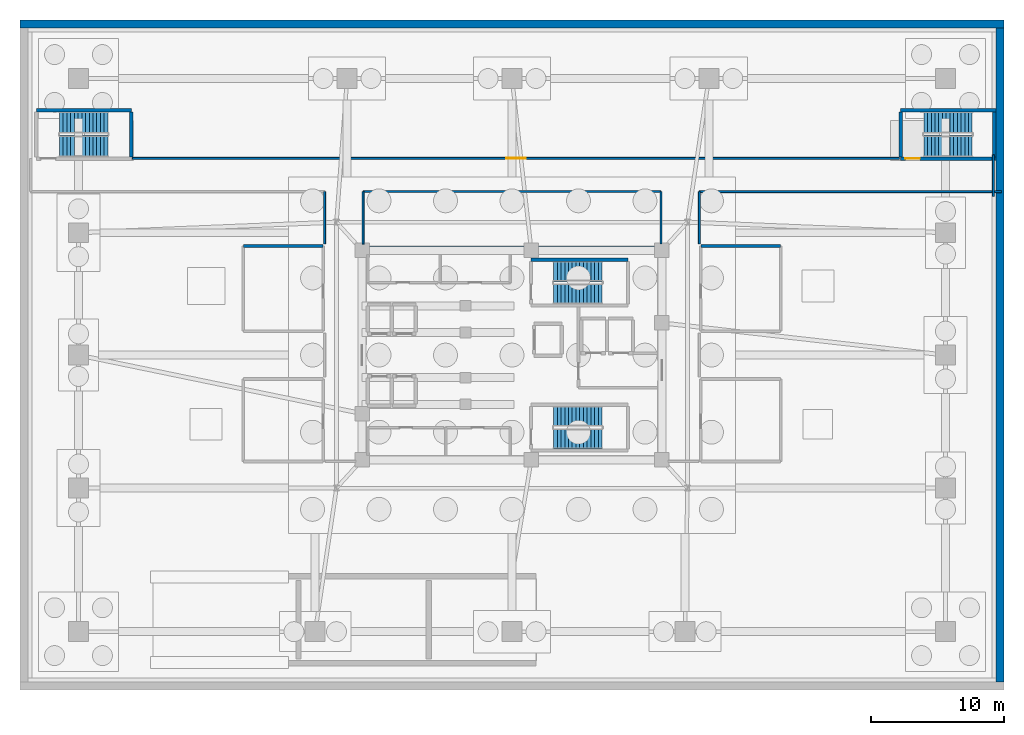
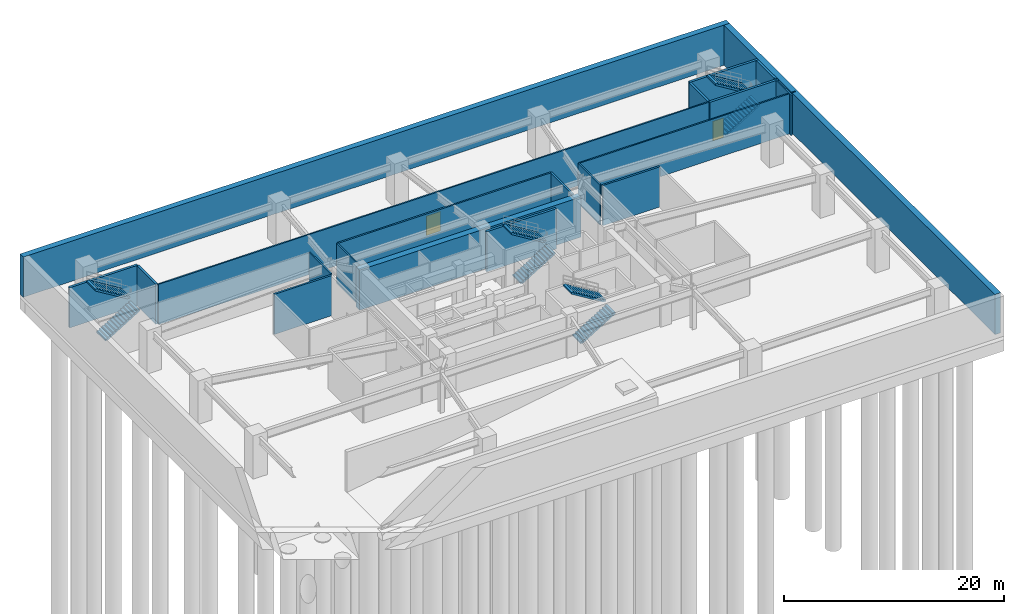
# One storey, part 6 of 8: 20 walls, 8 stair flights, 2 doors, 2 openings, 4 elements without a shape of their own.
"""IFC4 building model written with IfcOpenShell, lengths in metres."""

from ifc_helpers import new_model, si_unit, direction, frame, frame_2d, origin, place, context, subcontext, project, spatial, polyline, rectangle, outline, extrude, material, layer, layer_set, type_object, element, fill, aggregate, save


model = new_model("IFC4")

# Units and contexts
model_context = context("Model", 3, precision=1e-05, world=origin(), true_north=direction((0.0, 1.0)))
body_context = subcontext(model_context, "Body", "Model", "MODEL_VIEW")
ifc_project = project(units=[si_unit("LENGTHUNIT", "METRE"), si_unit("AREAUNIT", "SQUARE_METRE"), si_unit("VOLUMEUNIT", "CUBIC_METRE"), si_unit("PLANEANGLEUNIT", "RADIAN"), si_unit("MASSUNIT", "GRAM", prefix="KILO")], contexts=[model_context])

# Site, building, storey
site_placement = place(None, origin())
site = spatial("IfcSite", under=ifc_project, at=site_placement, CompositionType="ELEMENT")
building_placement = place(site_placement, origin())
building = spatial("IfcBuilding", under=site, at=building_placement, Name="Zulverin Broadcast Headquarters", CompositionType="ELEMENT")
storey_placement = place(building_placement, frame((0.0, 0.0, -9.60009765625)))
storey = spatial("IfcBuildingStorey", under=building, at=storey_placement, Name="B2", CompositionType="ELEMENT", Elevation=-9.60009765625)

# Walls
ifc_material_1 = material(Name="Concrete C60/75", Category="concrete")
ifc_layer_1 = layer(ifc_material_1, 0.64990234375, Name="Concrete C60/75", Category="concrete")
ifc_layer_set_1 = layer_set([ifc_layer_1], Name="Concrete C60/75")
wall_type_1 = type_object("IfcWallType", Name="WL-CORE-650", PredefinedType="SHEAR", material=ifc_layer_set_1)
wall_1_placement = place(storey_placement, frame((25.39990234375, 33.074951171875, 0.0), z_axis=(0.0, 0.0, 1.0), x_axis=(1.0, 0.0, 0.0)))
element("IfcWall", 1, at=wall_1_placement, inside=storey, type_object=wall_type_1, Name="B2 Core North Shear Wall", PredefinedType="SHEAR", context=body_context, shape_type="SweptSolid", body=[
    extrude(rectangle(XDim=23.2001953125, YDim=0.64990234375, at=frame_2d((11.60009765625, 0.0))), origin(), (0.0, 0.0, 1.0), 4.4501953125),
])
ifc_material_2 = material(Name="Concrete C40/50", Category="concrete")
ifc_layer_2 = layer(ifc_material_2, 0.199951171875, Name="Concrete C40/50", Category="concrete")
ifc_layer_set_2 = layer_set([ifc_layer_2], Name="Concrete C40/50")
wall_type_2 = type_object("IfcWallType", Name="WL-FFL-200", PredefinedType="SOLIDWALL", material=ifc_layer_set_2)
for number, where, z_axis, x_axis, name in (
    (2, (16.800048828125, 33.39990234375, 0.0), (0.0, 0.0, 1.0), (1.0, 0.0, 0.0), "B2 Domestic & Fire Pump Plant Room N Wall"),
    (3, (51.199951171875, 33.39990234375, 0.0), (0.0, 0.0, 1.0), (1.0, 0.0, 0.0), "B2 Basement Smoke Extract Fan Plant Room N Wall"),
):
    element("IfcWall", number, at=place(storey_placement, frame(where, z_axis=z_axis, x_axis=x_axis)), inside=storey, type_object=wall_type_2, Name=name, PredefinedType="SOLIDWALL", context=body_context, shape_type="SweptSolid", body=[
        extrude(rectangle(XDim=6.0, YDim=0.199951171875, at=frame_2d((3.0, 0.0))), origin(), (0.0, 0.0, 1.0), 4.4501953125),
    ])
ifc_material_3 = material(Name="Fire-rated gypsum stud partition", Category="gypsum")
ifc_layer_3 = layer(ifc_material_3, 0.14990234375, Name="Fire-rated gypsum stud partition", Category="gypsum")
ifc_layer_set_3 = layer_set([ifc_layer_3], Name="Fire-rated gypsum stud partition")
wall_type_3 = type_object("IfcWallType", Name="WL-PART-150", PredefinedType="PARTITIONING", material=ifc_layer_set_3)
wall_2_placement = place(storey_placement, frame((73.199951171875, 37.139892578125, 0.0), z_axis=(0.0, 0.0, 1.0), x_axis=(0.0, 1.0, 0.0)))
element("IfcWall", 4, at=wall_2_placement, inside=storey, type_object=wall_type_3, Name="B2 Gallery Partition Wall CG-01", PredefinedType="PARTITIONING", context=body_context, shape_type="SweptSolid", body=[
    extrude(rectangle(XDim=3.110107421875, YDim=0.14990234375, at=frame_2d((1.55517578125, 0.0))), origin(), (0.0, 0.0, 1.0), 4.4501953125),
])
wall_3_placement = place(storey_placement, frame((51.10009765625, 33.56005859375, 0.0), z_axis=(0.0, 0.0, 1.0), x_axis=(0.0, 1.0, 0.0)))
element("IfcWall", 5, at=wall_3_placement, inside=storey, type_object=wall_type_3, Name="B2 Gallery Partition Wall CG-03", PredefinedType="PARTITIONING", context=body_context, shape_type="SweptSolid", body=[
    extrude(rectangle(XDim=3.93994140625, YDim=0.14990234375, at=frame_2d((1.969970703125, 0.0))), origin(), (0.0, 0.0, 1.0), 4.4501953125),
])
wall_4_placement = place(storey_placement, frame((25.800048828125, 33.5400390625, 0.0), z_axis=(0.0, 0.0, 1.0), x_axis=(0.0, 1.0, 0.0)))
element("IfcWall", 6, at=wall_4_placement, inside=storey, type_object=wall_type_3, Name="B2 Gallery Partition Wall CG-05", PredefinedType="PARTITIONING", context=body_context, shape_type="SweptSolid", body=[
    extrude(rectangle(XDim=3.9599609375, YDim=0.14990234375, at=frame_2d((1.97998046875, 0.0))), origin(), (0.0, 0.0, 1.0), 4.4501953125),
])
wall_5_placement = place(storey_placement, frame((22.89990234375, 33.56005859375, 0.0), z_axis=(0.0, 0.0, 1.0), x_axis=(0.0, 1.0, 0.0)))
element("IfcWall", 7, at=wall_5_placement, inside=storey, type_object=wall_type_3, Name="B2 Gallery Partition Wall CG-07", PredefinedType="PARTITIONING", context=body_context, shape_type="SweptSolid", body=[
    extrude(rectangle(XDim=3.93994140625, YDim=0.14990234375, at=frame_2d((1.969970703125, 0.0))), origin(), (0.0, 0.0, 1.0), 4.4501953125),
])
wall_6_placement = place(storey_placement, frame((51.10009765625, 37.5, 0.0), z_axis=(0.0, 0.0, 1.0), x_axis=(1.0, 0.0, 0.0)))
element("IfcWall", 8, at=wall_6_placement, inside=storey, type_object=wall_type_3, Name="B2 Gallery Partition Wall CG-13", PredefinedType="PARTITIONING", context=body_context, shape_type="SweptSolid", body=[
    extrude(rectangle(XDim=22.69482421875, YDim=0.14990234375, at=frame_2d((11.347412109375, 0.0))), origin(), (0.0, 0.0, 1.0), 4.4501953125),
])

# Wall, opening, door
wall_7_placement = place(storey_placement, frame((8.4599609375, 40.0, 0.0), z_axis=(0.0, 0.0, 1.0), x_axis=(1.0, 0.0, 0.0)))
wall_7 = element("IfcWall", 9, at=wall_7_placement, inside=storey, type_object=wall_type_3, Name="B2 Gallery Partition Wall CG-14", PredefinedType="PARTITIONING", context=body_context, shape_type="SweptSolid", body=[
    extrude(rectangle(XDim=57.679931640625, YDim=0.14990234375, at=frame_2d((28.83984375, 0.0))), origin(), (0.0, 0.0, 1.0), 4.4501953125),
])
opening_1_placement = place(wall_7_placement, frame((28.090087890625, 0.0, 0.0)))
opening_1 = element("IfcOpeningElement", 10, at=opening_1_placement, cuts=wall_7, Name="Opening D-B2-CP1", PredefinedType="OPENING", context=body_context, shape_type="SweptSolid", body=[
    extrude(rectangle(XDim=1.5, YDim=2.14990234375, at=frame_2d((0.75, 1.074951171875))), frame((0.0, 0.0849609375, 0.0), z_axis=(0.0, -1.0, 0.0), x_axis=(1.0, 0.0, 0.0)), (0.0, 0.0, 1.0), 0.169921875),
])
ifc_material_4 = material(Name="Fire-rated glazed steel frame", Category="steel")
door_type_1 = type_object("IfcDoorType", Name="DR-COR-1500", OperationType="DOUBLE_DOOR_SINGLE_SWING", PredefinedType="DOOR", material=ifc_material_4)
door_1_placement = place(opening_1_placement, origin())
door_1 = element("IfcDoor", 11, at=door_1_placement, inside=storey, type_object=door_type_1, Name="B2 Car Park Deck Lobby Door", OperationType="DOUBLE_DOOR_SINGLE_SWING", OverallHeight=2.14990234375, OverallWidth=1.5, PredefinedType="DOOR", context=body_context, shape_type="SweptSolid", body=[
    extrude(rectangle(XDim=1.5, YDim=2.14990234375, at=frame_2d((0.75, 1.074951171875))), frame((0.0, 0.02490234375, 0.0), z_axis=(0.0, -1.0, 0.0), x_axis=(1.0, 0.0, 0.0)), (0.0, 0.0, 1.0), 0.050048828125),
])
fill(opening_1, door_1)

# Walls
ifc_material_5 = material(Name="Fire-rated acoustic stud wall", Category="gypsum")
ifc_layer_4 = layer(ifc_material_5, 0.175048828125, Name="Fire-rated acoustic stud wall", Category="gypsum")
ifc_layer_set_4 = layer_set([ifc_layer_4], Name="Fire-rated acoustic stud wall")
wall_type_4 = type_object("IfcWallType", Name="WL-PART-175", PredefinedType="PARTITIONING", material=ifc_layer_set_4)
wall_8_placement = place(storey_placement, frame((48.199951171875, 33.5400390625, 0.0), z_axis=(0.0, 0.0, 1.0), x_axis=(0.0, 1.0, 0.0)))
element("IfcWall", 12, at=wall_8_placement, inside=storey, type_object=wall_type_4, Name="B2 Gallery Partition Wall CG-04", PredefinedType="PARTITIONING", context=body_context, shape_type="SweptSolid", body=[
    extrude(rectangle(XDim=3.9599609375, YDim=0.175048828125, at=frame_2d((1.97998046875, 0.0))), origin(), (0.0, 0.0, 1.0), 4.4501953125),
])
wall_9_placement = place(storey_placement, frame((25.800048828125, 37.5, 0.0), z_axis=(0.0, 0.0, 1.0), x_axis=(1.0, 0.0, 0.0)))
element("IfcWall", 13, at=wall_9_placement, inside=storey, type_object=wall_type_4, Name="B2 Gallery Partition Wall CG-12", PredefinedType="PARTITIONING", context=body_context, shape_type="SweptSolid", body=[
    extrude(rectangle(XDim=22.39990234375, YDim=0.175048828125, at=frame_2d((11.199951171875, 0.0))), origin(), (0.0, 0.0, 1.0), 4.4501953125),
])
ifc_layer_5 = layer(ifc_material_2, 0.60009765625, Name="Concrete C40/50", Category="concrete")
ifc_layer_set_5 = layer_set([ifc_layer_5], Name="Concrete C40/50")
wall_type_5 = type_object("IfcWallType", Name="WL-RET-600", PredefinedType="SOLIDWALL", material=ifc_layer_set_5)
wall_10_placement = place(storey_placement, frame((0.0, 50.10009765625, 0.0), z_axis=(0.0, 0.0, 1.0), x_axis=(1.0, 0.0, 0.0)))
element("IfcWall", 14, at=wall_10_placement, inside=storey, type_object=wall_type_5, Name="B2 Basement Retaining Wall N", PredefinedType="SOLIDWALL", context=body_context, shape_type="SweptSolid", body=[
    extrude(rectangle(XDim=74.0, YDim=0.60009765625, at=frame_2d((37.0, 0.0))), origin(), (0.0, 0.0, 1.0), 4.4501953125),
])
wall_11_placement = place(storey_placement, frame((73.699951171875, 0.60009765625, 0.0), z_axis=(0.0, 0.0, 1.0), x_axis=(0.0, 1.0, 0.0)))
element("IfcWall", 15, at=wall_11_placement, inside=storey, type_object=wall_type_5, Name="B2 Basement Retaining Wall E", PredefinedType="SOLIDWALL", context=body_context, shape_type="SweptSolid", body=[
    extrude(rectangle(XDim=49.199951171875, YDim=0.60009765625, at=frame_2d((24.60009765625, 0.0))), origin(), (0.0, 0.0, 1.0), 4.4501953125),
])
ifc_material_6 = material(Name="Concrete C50/60", Category="concrete")
ifc_layer_6 = layer(ifc_material_6, 0.25, Name="Concrete C50/60", Category="concrete")
ifc_layer_set_6 = layer_set([ifc_layer_6], Name="Concrete C50/60")
wall_type_6 = type_object("IfcWallType", Name="WL-SHAFT-250", PredefinedType="SHEAR", material=ifc_layer_set_6)
wall_12_placement = place(storey_placement, frame((38.425048828125, 32.375, 0.0), z_axis=(0.0, 0.0, 1.0), x_axis=(1.0, 0.0, 0.0)))
element("IfcWall", 16, at=wall_12_placement, inside=storey, type_object=wall_type_6, Name="B2 ST-1 Enclosure Wall N", PredefinedType="SHEAR", context=body_context, shape_type="SweptSolid", body=[
    extrude(rectangle(XDim=7.300048828125, YDim=0.25, at=frame_2d((3.64990234375, 0.0))), origin(), (0.0, 0.0, 1.0), 4.4501953125),
])
wall_13_placement = place(storey_placement, frame((1.22509765625, 43.625, 0.0), z_axis=(0.0, 0.0, 1.0), x_axis=(1.0, 0.0, 0.0)))
element("IfcWall", 17, at=wall_13_placement, inside=storey, type_object=wall_type_6, Name="B2 ST-3 Enclosure Wall N", PredefinedType="SHEAR", context=body_context, shape_type="SweptSolid", body=[
    extrude(rectangle(XDim=7.14990234375, YDim=0.25, at=frame_2d((3.574951171875, 0.0))), origin(), (0.0, 0.0, 1.0), 4.4501953125),
])
wall_14_placement = place(storey_placement, frame((8.375, 40.10009765625, 0.0), z_axis=(0.0, 0.0, 1.0), x_axis=(0.0, 1.0, 0.0)))
element("IfcWall", 18, at=wall_14_placement, inside=storey, type_object=wall_type_6, Name="B2 ST-3 Enclosure Wall E", PredefinedType="SHEAR", context=body_context, shape_type="SweptSolid", body=[
    extrude(rectangle(XDim=3.39990234375, YDim=0.25, at=frame_2d((1.699951171875, 0.0))), origin(), (0.0, 0.0, 1.0), 4.4501953125),
])

# Wall, opening, door
wall_15_placement = place(storey_placement, frame((66.22509765625, 39.97509765625, 0.0), z_axis=(0.0, 0.0, 1.0), x_axis=(1.0, 0.0, 0.0)))
wall_15 = element("IfcWall", 19, at=wall_15_placement, inside=storey, type_object=wall_type_6, Name="B2 ST-4 Enclosure Wall S", PredefinedType="SHEAR", context=body_context, shape_type="SweptSolid", body=[
    extrude(rectangle(XDim=7.1748046875, YDim=0.25, at=frame_2d((3.58740234375, 0.0))), origin(), (0.0, 0.0, 1.0), 4.4501953125),
])
opening_2_placement = place(wall_15_placement, frame((0.35009765625, 0.0, 0.0)))
opening_2 = element("IfcOpeningElement", 20, at=opening_2_placement, cuts=wall_15, Name="Opening D-B2-ST-4", PredefinedType="OPENING", context=body_context, shape_type="SweptSolid", body=[
    extrude(rectangle(XDim=1.10009765625, YDim=2.14990234375, at=frame_2d((0.550048828125, 1.074951171875))), frame((0.0, 0.135009765625, 0.0), z_axis=(0.0, -1.0, 0.0), x_axis=(1.0, 0.0, 0.0)), (0.0, 0.0, 1.0), 0.27001953125),
])
ifc_material_7 = material(Name="Fire-rated steel leaf and frame", Category="steel")
door_type_2 = type_object("IfcDoorType", Name="DR-STAIR-1100", OperationType="SINGLE_SWING_LEFT", PredefinedType="DOOR", material=ifc_material_7)
door_2_placement = place(opening_2_placement, origin())
door_2 = element("IfcDoor", 21, at=door_2_placement, inside=storey, type_object=door_type_2, Name="B2 Exit Stair ST-4 Fire Door", OperationType="SINGLE_SWING_RIGHT", OverallHeight=2.14990234375, OverallWidth=1.10009765625, PredefinedType="DOOR", context=body_context, shape_type="SweptSolid", body=[
    extrude(rectangle(XDim=1.10009765625, YDim=2.14990234375, at=frame_2d((0.550048828125, 1.074951171875))), frame((0.0, 0.02490234375, 0.0), z_axis=(0.0, -1.0, 0.0), x_axis=(1.0, 0.0, 0.0)), (0.0, 0.0, 1.0), 0.050048828125),
])
fill(opening_2, door_2)

# Walls
wall_16_placement = place(storey_placement, frame((66.22509765625, 43.625, 0.0), z_axis=(0.0, 0.0, 1.0), x_axis=(1.0, 0.0, 0.0)))
element("IfcWall", 22, at=wall_16_placement, inside=storey, type_object=wall_type_6, Name="B2 ST-4 Enclosure Wall N", PredefinedType="SHEAR", context=body_context, shape_type="SweptSolid", body=[
    extrude(rectangle(XDim=7.1748046875, YDim=0.25, at=frame_2d((3.58740234375, 0.0))), origin(), (0.0, 0.0, 1.0), 4.4501953125),
])
for number, where, z_axis, x_axis, name in (
    (23, (66.22509765625, 40.10009765625, 0.0), (0.0, 0.0, 1.0), (0.0, 1.0, 0.0), "B2 ST-4 Enclosure Wall W"),
    (24, (73.27490234375, 40.10009765625, 0.0), (0.0, 0.0, 1.0), (0.0, 1.0, 0.0), "B2 ST-4 Enclosure Wall E"),
):
    element("IfcWall", number, at=place(storey_placement, frame(where, z_axis=z_axis, x_axis=x_axis)), inside=storey, type_object=wall_type_6, Name=name, PredefinedType="SHEAR", context=body_context, shape_type="SweptSolid", body=[
        extrude(rectangle(XDim=3.39990234375, YDim=0.25, at=frame_2d((1.699951171875, 0.0))), origin(), (0.0, 0.0, 1.0), 4.4501953125),
    ])

# Stair, stair flights
stair_type_1 = type_object("IfcStairType", Name="ST-CORE-1500", PredefinedType="HALF_TURN_STAIR", material=ifc_material_2)
stair_1_placement = place(storey_placement, origin())
stair_1 = element("IfcStair", 25, at=stair_1_placement, inside=storey, type_object=stair_type_1, Name="B2 Core Exit Stair ST-1", PredefinedType="HALF_TURN_STAIR")
stair_flight_type_1 = type_object("IfcStairFlightType", Name="SF-CORE-1500", PredefinedType="STRAIGHT", material=ifc_material_2)
stair_flight_1_placement = place(storey_placement, frame((40.1298828125, 29.800048828125, 0.0), z_axis=(0.0, 0.0, 1.0), x_axis=(1.0, 0.0, 0.0)))
stair_flight_1 = element("IfcStairFlight", 26, at=stair_flight_1_placement, type_object=stair_flight_type_1, Name="ST-1 flight 1", NumberOfRisers=14, NumberOfTreads=13, PredefinedType="STRAIGHT", RiserHeight=0.171428571, TreadLength=0.28, context=body_context, shape_type="SweptSolid", body=[
    extrude(outline(polyline([(0.0, 0.0), (0.0, 0.17138671875), (0.280029296875, 0.17138671875), (0.280029296875, 0.3427734375), (0.56005859375, 0.3427734375), (0.56005859375, 0.514404296875), (0.840087890625, 0.514404296875), (0.840087890625, 0.685791015625), (1.1201171875, 0.685791015625), (1.1201171875, 0.857177734375), (1.39990234375, 0.857177734375), (1.39990234375, 1.028564453125), (1.679931640625, 1.028564453125), (1.679931640625, 1.199951171875), (1.9599609375, 1.199951171875), (1.9599609375, 1.371337890625), (2.239990234375, 1.371337890625), (2.239990234375, 1.54296875), (2.52001953125, 1.54296875), (2.52001953125, 1.71435546875), (2.800048828125, 1.71435546875), (2.800048828125, 1.8857421875), (3.080078125, 1.8857421875), (3.080078125, 2.05712890625), (3.360107421875, 2.05712890625), (3.360107421875, 2.228515625), (3.639892578125, 2.228515625), (3.639892578125, 2.39990234375), (3.639892578125, 2.052734375), (0.287109375, 0.0), (0.0, 0.0)])), frame((0.0, 0.75, 0.0), z_axis=(0.0, -1.0, 0.0), x_axis=(1.0, 0.0, 0.0)), (0.0, 0.0, 1.0), 1.5),
])
stair_flight_2_placement = place(storey_placement, frame((43.77001953125, 31.5, 2.400146484375), z_axis=(0.0, 0.0, 1.0), x_axis=(-1.0, 0.0, 0.0)))
stair_flight_2 = element("IfcStairFlight", 27, at=stair_flight_2_placement, type_object=stair_flight_type_1, Name="ST-1 flight 2", NumberOfRisers=14, NumberOfTreads=13, PredefinedType="STRAIGHT", RiserHeight=0.171428571, TreadLength=0.28, context=body_context, shape_type="SweptSolid", body=[
    extrude(outline(polyline([(0.0, 0.0), (0.0, 0.17138671875), (0.280029296875, 0.17138671875), (0.280029296875, 0.3427734375), (0.56005859375, 0.3427734375), (0.56005859375, 0.514404296875), (0.840087890625, 0.514404296875), (0.840087890625, 0.685791015625), (1.1201171875, 0.685791015625), (1.1201171875, 0.857177734375), (1.39990234375, 0.857177734375), (1.39990234375, 1.028564453125), (1.679931640625, 1.028564453125), (1.679931640625, 1.199951171875), (1.9599609375, 1.199951171875), (1.9599609375, 1.371337890625), (2.239990234375, 1.371337890625), (2.239990234375, 1.54296875), (2.52001953125, 1.54296875), (2.52001953125, 1.71435546875), (2.800048828125, 1.71435546875), (2.800048828125, 1.8857421875), (3.080078125, 1.8857421875), (3.080078125, 2.05712890625), (3.360107421875, 2.05712890625), (3.360107421875, 2.228515625), (3.639892578125, 2.228515625), (3.639892578125, 2.39990234375), (3.639892578125, 2.052734375), (0.287109375, 0.0), (0.0, 0.0)])), frame((0.0, 0.75, 0.0), z_axis=(0.0, -1.0, 0.0), x_axis=(1.0, 0.0, 0.0)), (0.0, 0.0, 1.0), 1.5),
])
aggregate(stair_1, [stair_flight_1, stair_flight_2])

stair_2_placement = place(storey_placement, origin())
stair_2 = element("IfcStair", 28, at=stair_2_placement, inside=storey, type_object=stair_type_1, Name="B2 Core Exit Stair ST-2", PredefinedType="HALF_TURN_STAIR")
stair_flight_3_placement = place(storey_placement, frame((40.1298828125, 18.89990234375, 0.0), z_axis=(0.0, 0.0, 1.0), x_axis=(1.0, 0.0, 0.0)))
stair_flight_3 = element("IfcStairFlight", 29, at=stair_flight_3_placement, type_object=stair_flight_type_1, Name="ST-2 flight 1", NumberOfRisers=14, NumberOfTreads=13, PredefinedType="STRAIGHT", RiserHeight=0.171428571, TreadLength=0.28, context=body_context, shape_type="SweptSolid", body=[
    extrude(outline(polyline([(0.0, 0.0), (0.0, 0.17138671875), (0.280029296875, 0.17138671875), (0.280029296875, 0.3427734375), (0.56005859375, 0.3427734375), (0.56005859375, 0.514404296875), (0.840087890625, 0.514404296875), (0.840087890625, 0.685791015625), (1.1201171875, 0.685791015625), (1.1201171875, 0.857177734375), (1.39990234375, 0.857177734375), (1.39990234375, 1.028564453125), (1.679931640625, 1.028564453125), (1.679931640625, 1.199951171875), (1.9599609375, 1.199951171875), (1.9599609375, 1.371337890625), (2.239990234375, 1.371337890625), (2.239990234375, 1.54296875), (2.52001953125, 1.54296875), (2.52001953125, 1.71435546875), (2.800048828125, 1.71435546875), (2.800048828125, 1.8857421875), (3.080078125, 1.8857421875), (3.080078125, 2.05712890625), (3.360107421875, 2.05712890625), (3.360107421875, 2.228515625), (3.639892578125, 2.228515625), (3.639892578125, 2.39990234375), (3.639892578125, 2.052734375), (0.287109375, 0.0), (0.0, 0.0)])), frame((0.0, 0.75, 0.0), z_axis=(0.0, -1.0, 0.0), x_axis=(1.0, 0.0, 0.0)), (0.0, 0.0, 1.0), 1.5),
])
stair_flight_4_placement = place(storey_placement, frame((43.77001953125, 20.60009765625, 2.400146484375), z_axis=(0.0, 0.0, 1.0), x_axis=(-1.0, 0.0, 0.0)))
stair_flight_4 = element("IfcStairFlight", 30, at=stair_flight_4_placement, type_object=stair_flight_type_1, Name="ST-2 flight 2", NumberOfRisers=14, NumberOfTreads=13, PredefinedType="STRAIGHT", RiserHeight=0.171428571, TreadLength=0.28, context=body_context, shape_type="SweptSolid", body=[
    extrude(outline(polyline([(0.0, 0.0), (0.0, 0.17138671875), (0.280029296875, 0.17138671875), (0.280029296875, 0.3427734375), (0.56005859375, 0.3427734375), (0.56005859375, 0.514404296875), (0.840087890625, 0.514404296875), (0.840087890625, 0.685791015625), (1.1201171875, 0.685791015625), (1.1201171875, 0.857177734375), (1.39990234375, 0.857177734375), (1.39990234375, 1.028564453125), (1.679931640625, 1.028564453125), (1.679931640625, 1.199951171875), (1.9599609375, 1.199951171875), (1.9599609375, 1.371337890625), (2.239990234375, 1.371337890625), (2.239990234375, 1.54296875), (2.52001953125, 1.54296875), (2.52001953125, 1.71435546875), (2.800048828125, 1.71435546875), (2.800048828125, 1.8857421875), (3.080078125, 1.8857421875), (3.080078125, 2.05712890625), (3.360107421875, 2.05712890625), (3.360107421875, 2.228515625), (3.639892578125, 2.228515625), (3.639892578125, 2.39990234375), (3.639892578125, 2.052734375), (0.287109375, 0.0), (0.0, 0.0)])), frame((0.0, 0.75, 0.0), z_axis=(0.0, -1.0, 0.0), x_axis=(1.0, 0.0, 0.0)), (0.0, 0.0, 1.0), 1.5),
])
aggregate(stair_2, [stair_flight_3, stair_flight_4])

stair_type_2 = type_object("IfcStairType", Name="ST-POD-1600", PredefinedType="HALF_TURN_STAIR", material=ifc_material_2)
stair_3_placement = place(storey_placement, origin())
stair_3 = element("IfcStair", 31, at=stair_3_placement, inside=storey, type_object=stair_type_2, Name="B2 Podium Exit Stair ST-3", PredefinedType="HALF_TURN_STAIR")
stair_flight_type_2 = type_object("IfcStairFlightType", Name="SF-POD-1600", PredefinedType="STRAIGHT", material=ifc_material_2)
stair_flight_5_placement = place(storey_placement, frame((2.969970703125, 40.89990234375, 0.0), z_axis=(0.0, 0.0, 1.0), x_axis=(1.0, 0.0, 0.0)))
stair_flight_5 = element("IfcStairFlight", 32, at=stair_flight_5_placement, type_object=stair_flight_type_2, Name="ST-3 flight 1", NumberOfRisers=14, NumberOfTreads=13, PredefinedType="STRAIGHT", RiserHeight=0.171428571, TreadLength=0.28, context=body_context, shape_type="SweptSolid", body=[
    extrude(outline(polyline([(0.0, 0.0), (0.0, 0.17138671875), (0.280029296875, 0.17138671875), (0.280029296875, 0.3427734375), (0.56005859375, 0.3427734375), (0.56005859375, 0.514404296875), (0.840087890625, 0.514404296875), (0.840087890625, 0.685791015625), (1.1201171875, 0.685791015625), (1.1201171875, 0.857177734375), (1.39990234375, 0.857177734375), (1.39990234375, 1.028564453125), (1.679931640625, 1.028564453125), (1.679931640625, 1.199951171875), (1.9599609375, 1.199951171875), (1.9599609375, 1.371337890625), (2.239990234375, 1.371337890625), (2.239990234375, 1.54296875), (2.52001953125, 1.54296875), (2.52001953125, 1.71435546875), (2.800048828125, 1.71435546875), (2.800048828125, 1.8857421875), (3.080078125, 1.8857421875), (3.080078125, 2.05712890625), (3.360107421875, 2.05712890625), (3.360107421875, 2.228515625), (3.639892578125, 2.228515625), (3.639892578125, 2.39990234375), (3.639892578125, 2.052734375), (0.287109375, 0.0), (0.0, 0.0)])), frame((0.0, 0.800048828125, 0.0), z_axis=(0.0, -1.0, 0.0), x_axis=(1.0, 0.0, 0.0)), (0.0, 0.0, 1.0), 1.60009765625),
])
stair_flight_6_placement = place(storey_placement, frame((6.610107421875, 42.699951171875, 2.400146484375), z_axis=(0.0, 0.0, 1.0), x_axis=(-1.0, 0.0, 0.0)))
stair_flight_6 = element("IfcStairFlight", 33, at=stair_flight_6_placement, type_object=stair_flight_type_2, Name="ST-3 flight 2", NumberOfRisers=14, NumberOfTreads=13, PredefinedType="STRAIGHT", RiserHeight=0.171428571, TreadLength=0.28, context=body_context, shape_type="SweptSolid", body=[
    extrude(outline(polyline([(0.0, 0.0), (0.0, 0.17138671875), (0.280029296875, 0.17138671875), (0.280029296875, 0.3427734375), (0.56005859375, 0.3427734375), (0.56005859375, 0.514404296875), (0.840087890625, 0.514404296875), (0.840087890625, 0.685791015625), (1.1201171875, 0.685791015625), (1.1201171875, 0.857177734375), (1.39990234375, 0.857177734375), (1.39990234375, 1.028564453125), (1.679931640625, 1.028564453125), (1.679931640625, 1.199951171875), (1.9599609375, 1.199951171875), (1.9599609375, 1.371337890625), (2.239990234375, 1.371337890625), (2.239990234375, 1.54296875), (2.52001953125, 1.54296875), (2.52001953125, 1.71435546875), (2.800048828125, 1.71435546875), (2.800048828125, 1.8857421875), (3.080078125, 1.8857421875), (3.080078125, 2.05712890625), (3.360107421875, 2.05712890625), (3.360107421875, 2.228515625), (3.639892578125, 2.228515625), (3.639892578125, 2.39990234375), (3.639892578125, 2.052734375), (0.287109375, 0.0), (0.0, 0.0)])), frame((0.0, 0.800048828125, 0.0), z_axis=(0.0, -1.0, 0.0), x_axis=(1.0, 0.0, 0.0)), (0.0, 0.0, 1.0), 1.60009765625),
])
aggregate(stair_3, [stair_flight_5, stair_flight_6])

stair_4_placement = place(storey_placement, origin())
stair_4 = element("IfcStair", 34, at=stair_4_placement, inside=storey, type_object=stair_type_2, Name="B2 Podium Exit Stair ST-4", PredefinedType="HALF_TURN_STAIR")
stair_flight_7_placement = place(storey_placement, frame((67.969970703125, 40.89990234375, 0.0), z_axis=(0.0, 0.0, 1.0), x_axis=(1.0, 0.0, 0.0)))
stair_flight_7 = element("IfcStairFlight", 35, at=stair_flight_7_placement, type_object=stair_flight_type_2, Name="ST-4 flight 1", NumberOfRisers=14, NumberOfTreads=13, PredefinedType="STRAIGHT", RiserHeight=0.171428571, TreadLength=0.28, context=body_context, shape_type="SweptSolid", body=[
    extrude(outline(polyline([(0.0, 0.0), (0.0, 0.17138671875), (0.280029296875, 0.17138671875), (0.280029296875, 0.3427734375), (0.56005859375, 0.3427734375), (0.56005859375, 0.514404296875), (0.840087890625, 0.514404296875), (0.840087890625, 0.685791015625), (1.1201171875, 0.685791015625), (1.1201171875, 0.857177734375), (1.39990234375, 0.857177734375), (1.39990234375, 1.028564453125), (1.679931640625, 1.028564453125), (1.679931640625, 1.199951171875), (1.9599609375, 1.199951171875), (1.9599609375, 1.371337890625), (2.239990234375, 1.371337890625), (2.239990234375, 1.54296875), (2.52001953125, 1.54296875), (2.52001953125, 1.71435546875), (2.800048828125, 1.71435546875), (2.800048828125, 1.8857421875), (3.080078125, 1.8857421875), (3.080078125, 2.05712890625), (3.360107421875, 2.05712890625), (3.360107421875, 2.228515625), (3.639892578125, 2.228515625), (3.639892578125, 2.39990234375), (3.639892578125, 2.052734375), (0.287109375, 0.0), (0.0, 0.0)])), frame((0.0, 0.800048828125, 0.0), z_axis=(0.0, -1.0, 0.0), x_axis=(1.0, 0.0, 0.0)), (0.0, 0.0, 1.0), 1.60009765625),
])
stair_flight_8_placement = place(storey_placement, frame((71.610107421875, 42.699951171875, 2.400146484375), z_axis=(0.0, 0.0, 1.0), x_axis=(-1.0, 0.0, 0.0)))
stair_flight_8 = element("IfcStairFlight", 36, at=stair_flight_8_placement, type_object=stair_flight_type_2, Name="ST-4 flight 2", NumberOfRisers=14, NumberOfTreads=13, PredefinedType="STRAIGHT", RiserHeight=0.171428571, TreadLength=0.28, context=body_context, shape_type="SweptSolid", body=[
    extrude(outline(polyline([(0.0, 0.0), (0.0, 0.17138671875), (0.280029296875, 0.17138671875), (0.280029296875, 0.3427734375), (0.56005859375, 0.3427734375), (0.56005859375, 0.514404296875), (0.840087890625, 0.514404296875), (0.840087890625, 0.685791015625), (1.1201171875, 0.685791015625), (1.1201171875, 0.857177734375), (1.39990234375, 0.857177734375), (1.39990234375, 1.028564453125), (1.679931640625, 1.028564453125), (1.679931640625, 1.199951171875), (1.9599609375, 1.199951171875), (1.9599609375, 1.371337890625), (2.239990234375, 1.371337890625), (2.239990234375, 1.54296875), (2.52001953125, 1.54296875), (2.52001953125, 1.71435546875), (2.800048828125, 1.71435546875), (2.800048828125, 1.8857421875), (3.080078125, 1.8857421875), (3.080078125, 2.05712890625), (3.360107421875, 2.05712890625), (3.360107421875, 2.228515625), (3.639892578125, 2.228515625), (3.639892578125, 2.39990234375), (3.639892578125, 2.052734375), (0.287109375, 0.0), (0.0, 0.0)])), frame((0.0, 0.800048828125, 0.0), z_axis=(0.0, -1.0, 0.0), x_axis=(1.0, 0.0, 0.0)), (0.0, 0.0, 1.0), 1.60009765625),
])
aggregate(stair_4, [stair_flight_7, stair_flight_8])

save(model, "model.ifc")
